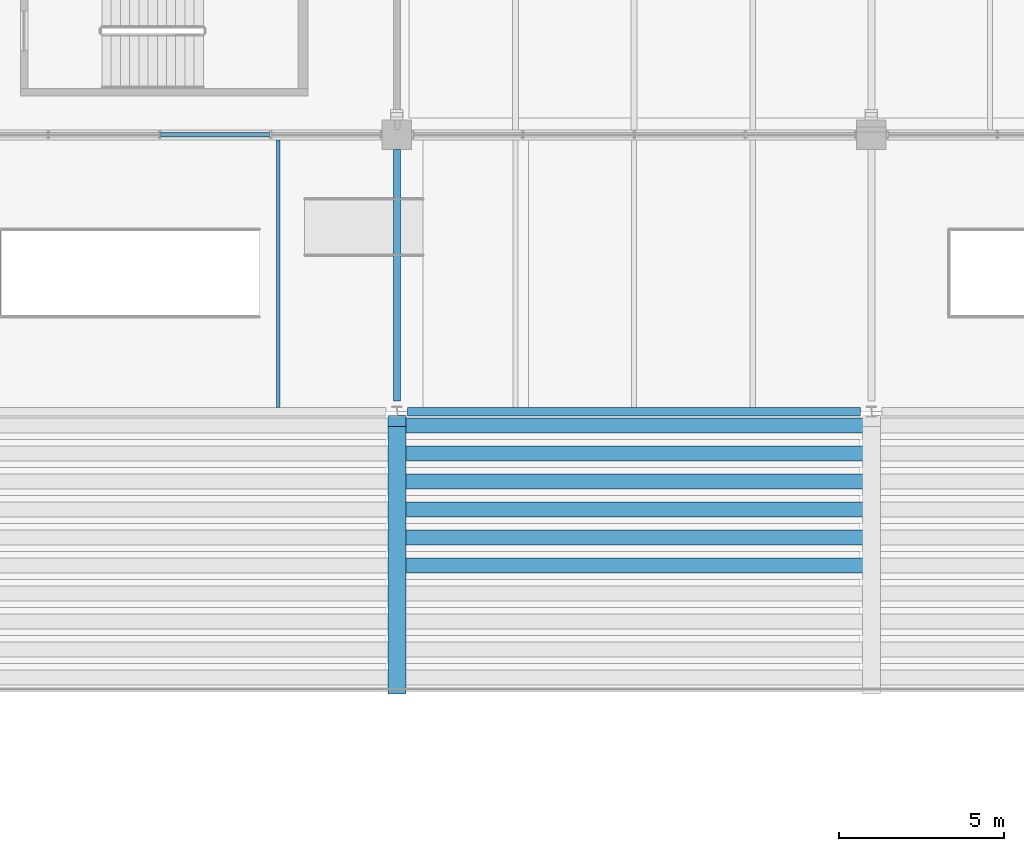
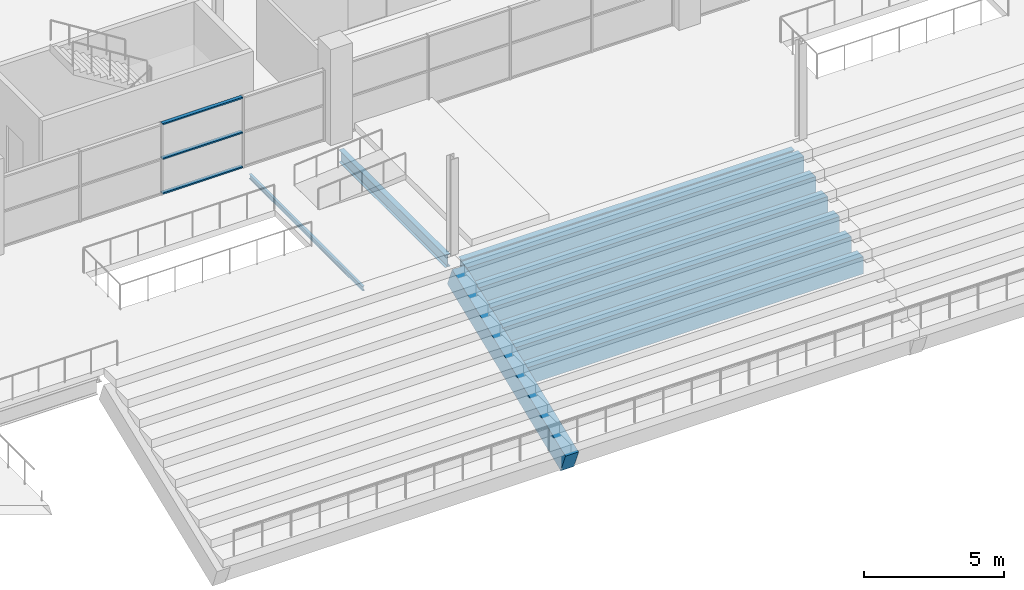
# One storey, part 57 of 161: 10 beams, 3 members, 1 element without a shape of its own.
"""IFC4 building model written with IfcOpenShell, lengths in metres."""

from ifc_helpers import new_model, si_unit, direction, frame, origin, origin_2d, place, context, subcontext, project, spatial, rectangle, hollow_rectangle, i_section, extrude, material, material_profile, profile_set, type_object, element, aggregate, save


model = new_model("IFC4")

# Units and contexts
model_context = context("Model", 3, precision=1e-05, world=origin(), true_north=direction((0.0, 1.0)))
body_context = subcontext(model_context, "Body", "Model", "MODEL_VIEW")
ifc_project = project(units=[si_unit("LENGTHUNIT", "METRE"), si_unit("AREAUNIT", "SQUARE_METRE"), si_unit("VOLUMEUNIT", "CUBIC_METRE"), si_unit("PLANEANGLEUNIT", "RADIAN"), si_unit("MASSUNIT", "GRAM", prefix="KILO"), si_unit("THERMODYNAMICTEMPERATUREUNIT", "KELVIN")], contexts=[model_context])

# Site, building, storey
site_placement = place(None, origin())
site = spatial("IfcSite", under=ifc_project, at=site_placement, CompositionType="ELEMENT")
building_placement = place(site_placement, origin())
building = spatial("IfcBuilding", under=site, at=building_placement, Name="Nduvali Passage Aquatics Centre", CompositionType="ELEMENT")
storey_placement = place(building_placement, frame((0.0, 0.0, 4.800048828125)))
storey = spatial("IfcBuildingStorey", under=building, at=storey_placement, Name="L01", CompositionType="ELEMENT", Elevation=4.800048828125)

# Curtain wall, members
ifc_material_1 = material(Name="Aluminium EN AW-6063 T6", Category="aluminium")
curtain_wall_type = type_object("IfcCurtainWallType", Name="ENV-CW-HALL", PredefinedType="NOTDEFINED", material=ifc_material_1)
curtain_wall_placement = place(storey_placement, origin())
curtain_wall = element("IfcCurtainWall", 1, at=curtain_wall_placement, inside=storey, type_object=curtain_wall_type, Name="L01 North Pool Hall Concourse CW 058", PredefinedType="NOTDEFINED")
ifc_material_profile_1 = material_profile(ifc_material_1, hollow_rectangle(XDim=0.14990234375, YDim=0.06005859375, WallThickness=0.00390625, at=origin_2d()), Name="ALU TRANSOM 150x60x4")
ifc_profile_set_1 = profile_set([ifc_material_profile_1], Name="Aluminium EN AW-6063 T6")
member_type = type_object("IfcMemberType", Name="ENV-MEM-TRN80", PredefinedType="USERDEFINED", material=ifc_profile_set_1)
member_1_placement = place(storey_placement, frame((46.830078125, 92.39990234375, 0.030029296875), z_axis=(1.0, 0.0, 0.0), x_axis=(0.0, 1.0, 0.0)))
member_1 = element("IfcMember", 2, at=member_1_placement, type_object=member_type, Name="North Pool Hall Concourse CW Transom B3-R0", ObjectType="TRANSOM", PredefinedType="USERDEFINED", context=body_context, shape_type="SweptSolid", body=[
    extrude(hollow_rectangle(XDim=0.14990234375, YDim=0.06005859375, WallThickness=0.00390625, at=origin_2d()), origin(), (0.0, 0.0, 1.0), 3.31494140625),
])
member_2_placement = place(storey_placement, frame((46.830078125, 92.39990234375, 1.547607421875), z_axis=(1.0, 0.0, 0.0), x_axis=(0.0, 1.0, 0.0)))
member_2 = element("IfcMember", 3, at=member_2_placement, type_object=member_type, Name="North Pool Hall Concourse CW Transom B3-R1", ObjectType="TRANSOM", PredefinedType="USERDEFINED", context=body_context, shape_type="SweptSolid", body=[
    extrude(hollow_rectangle(XDim=0.14990234375, YDim=0.06005859375, WallThickness=0.00390625, at=origin_2d()), origin(), (0.0, 0.0, 1.0), 3.31494140625),
])
member_3_placement = place(storey_placement, frame((46.830078125, 92.39990234375, 3.065185546875), z_axis=(1.0, 0.0, 0.0), x_axis=(0.0, 1.0, 0.0)))
member_3 = element("IfcMember", 4, at=member_3_placement, type_object=member_type, Name="North Pool Hall Concourse CW Transom B3-R2", ObjectType="TRANSOM", PredefinedType="USERDEFINED", context=body_context, shape_type="SweptSolid", body=[
    extrude(hollow_rectangle(XDim=0.14990234375, YDim=0.06005859375, WallThickness=0.00390625, at=origin_2d()), origin(), (0.0, 0.0, 1.0), 3.31494140625),
])
aggregate(curtain_wall, [member_1, member_2, member_3])

# Beams
ifc_material_2 = material(Name="Concrete C40/50", Category="concrete")
ifc_material_profile_2 = material_profile(ifc_material_2, rectangle(XDim=0.449951171875, YDim=0.75, at=origin_2d()), Name="RC 450x750")
ifc_profile_set_2 = profile_set([ifc_material_profile_2], Name="Concrete C40/50")
beam_type_1 = type_object("IfcBeamType", Name="STR-BM-RC4575", PredefinedType="BEAM", material=ifc_profile_set_2)
for number, where, z_axis, x_axis, name in (
    (5, (54.239990234375, 79.324951171875, -2.53515625), (1.0, 0.0, 0.0), (0.0, 1.0, 0.0), "L01 North Stand Tier Bearer Row 05 B3-1590"),
    (6, (54.239990234375, 80.175048828125, -2.175048828125), (1.0, 0.0, 0.0), (0.0, 1.0, 0.0), "L01 North Stand Tier Bearer Row 06 B3-1595"),
    (7, (54.239990234375, 81.02490234375, -1.81494140625), (1.0, 0.0, 0.0), (0.0, 1.0, 0.0), "L01 North Stand Tier Bearer Row 07 B3-1600"),
    (8, (54.239990234375, 81.875, -1.455078125), (1.0, 0.0, 0.0), (0.0, 1.0, 0.0), "L01 North Stand Tier Bearer Row 08 B3-1605"),
    (9, (54.239990234375, 82.72509765625, -1.094970703125), (1.0, 0.0, 0.0), (0.0, 1.0, 0.0), "L01 North Stand Tier Bearer Row 09 B3-1610"),
    (10, (54.239990234375, 83.574951171875, -0.735107421875), (1.0, 0.0, 0.0), (0.0, 1.0, 0.0), "L01 North Stand Tier Bearer Row 10 B3-1615"),
):
    element("IfcBeam", number, at=place(storey_placement, frame(where, z_axis=z_axis, x_axis=x_axis)), inside=storey, type_object=beam_type_1, Name=name, PredefinedType="BEAM", context=body_context, shape_type="SweptSolid", body=[
        extrude(rectangle(XDim=0.449951171875, YDim=0.75, at=origin_2d()), origin(), (0.0, 0.0, 1.0), 13.919921875),
    ])
ifc_material_3 = material(Name="Steel S355", Category="steel")
ifc_material_profile_3 = material_profile(ifc_material_3, i_section(OverallWidth=0.210693359375, OverallDepth=0.53955078125, WebThickness=0.01171875, FlangeThickness=0.018798828125, FilletRadius=0.0126953125, at=origin_2d()), Name="UKB 533x210x109")
ifc_profile_set_3 = profile_set([ifc_material_profile_3], Name="Steel S355")
beam_type_2 = type_object("IfcBeamType", Name="STR-BM-UKB533", PredefinedType="BEAM", material=ifc_profile_set_3)
beam_1_placement = place(storey_placement, frame((54.0, 84.324951171875, -0.553955078125), z_axis=(0.0, 1.0, 0.0), x_axis=(-1.0, 0.0, 0.0)))
element("IfcBeam", 11, at=beam_1_placement, inside=storey, type_object=beam_type_2, Name="L01 Primary Y-Girder B6-0588", PredefinedType="BEAM", context=body_context, shape_type="SweptSolid", body=[
    extrude(i_section(OverallWidth=0.210693359375, OverallDepth=0.53955078125, WebThickness=0.01171875, FlangeThickness=0.018798828125, FilletRadius=0.0126953125, at=origin_2d()), origin(), (0.0, 0.0, 1.0), 7.625),
])
ifc_material_profile_4 = material_profile(ifc_material_3, i_section(OverallWidth=0.253662109375, OverallDepth=0.68359375, WebThickness=0.012451171875, FlangeThickness=0.01904296875, FilletRadius=0.01513671875, at=origin_2d()), Name="UKB 686x254x140")
ifc_profile_set_4 = profile_set([ifc_material_profile_4], Name="Steel S355")
beam_type_3 = type_object("IfcBeamType", Name="STR-BM-UKB686", PredefinedType="BEAM", material=ifc_profile_set_4)
beam_2_placement = place(storey_placement, frame((54.324951171875, 84.0, -0.705810546875), z_axis=(1.0, 0.0, 0.0), x_axis=(0.0, 1.0, 0.0)))
element("IfcBeam", 12, at=beam_2_placement, inside=storey, type_object=beam_type_3, Name="L01 Primary X-Girder B4-0513", PredefinedType="BEAM", context=body_context, shape_type="SweptSolid", body=[
    extrude(i_section(OverallWidth=0.253662109375, OverallDepth=0.68359375, WebThickness=0.012451171875, FlangeThickness=0.01904296875, FilletRadius=0.01513671875, at=origin_2d()), origin(), (0.0, 0.0, 1.0), 13.75),
])
ifc_material_profile_5 = material_profile(ifc_material_3, i_section(OverallWidth=0.10009765625, OverallDepth=0.199951171875, WebThickness=0.005615234375, FlangeThickness=0.008544921875, FilletRadius=0.011962890625, at=origin_2d()), Name="IPE 200")
ifc_profile_set_5 = profile_set([ifc_material_profile_5], Name="Steel S355")
beam_type_4 = type_object("IfcBeamType", Name="STR-JST-IPE200", PredefinedType="JOIST", material=ifc_profile_set_5)
beam_3_placement = place(storey_placement, frame((50.39990234375, 84.126708984375, -0.384033203125), z_axis=(0.0, 1.0, 0.0), x_axis=(-1.0, 0.0, 0.0)))
element("IfcBeam", 13, at=beam_3_placement, inside=storey, type_object=beam_type_4, Name="L01 Secondary Joist J9A-0798", PredefinedType="JOIST", context=body_context, shape_type="SweptSolid", body=[
    extrude(i_section(OverallWidth=0.10009765625, OverallDepth=0.199951171875, WebThickness=0.005615234375, FlangeThickness=0.008544921875, FilletRadius=0.011962890625, at=origin_2d()), origin(), (0.0, 0.0, 1.0), 8.121337890625),
])
ifc_material_profile_6 = material_profile(ifc_material_2, rectangle(XDim=0.550048828125, YDim=0.89990234375, at=origin_2d()), Name="RC 550x900")
ifc_profile_set_6 = profile_set([ifc_material_profile_6], Name="Concrete C40/50")
beam_type_5 = type_object("IfcBeamType", Name="STR-RAK-RC5085", PredefinedType="USERDEFINED", material=ifc_profile_set_6)
beam_4_placement = place(storey_placement, frame((54.0, 83.719970703125, -0.78515625), z_axis=(0.0, -0.928790285766, -0.370605727244), x_axis=(1.0, 0.0, 0.0)))
element("IfcBeam", 14, at=beam_4_placement, inside=storey, type_object=beam_type_5, Name="L01 North Stand Raker Beam RK1-1564", ObjectType="RAKER", PredefinedType="USERDEFINED", context=body_context, shape_type="SweptSolid", body=[
    extrude(rectangle(XDim=0.550048828125, YDim=0.89990234375, at=origin_2d()), origin(), (0.0, 0.0, 1.0), 8.742431640625),
])

save(model, "model.ifc")
